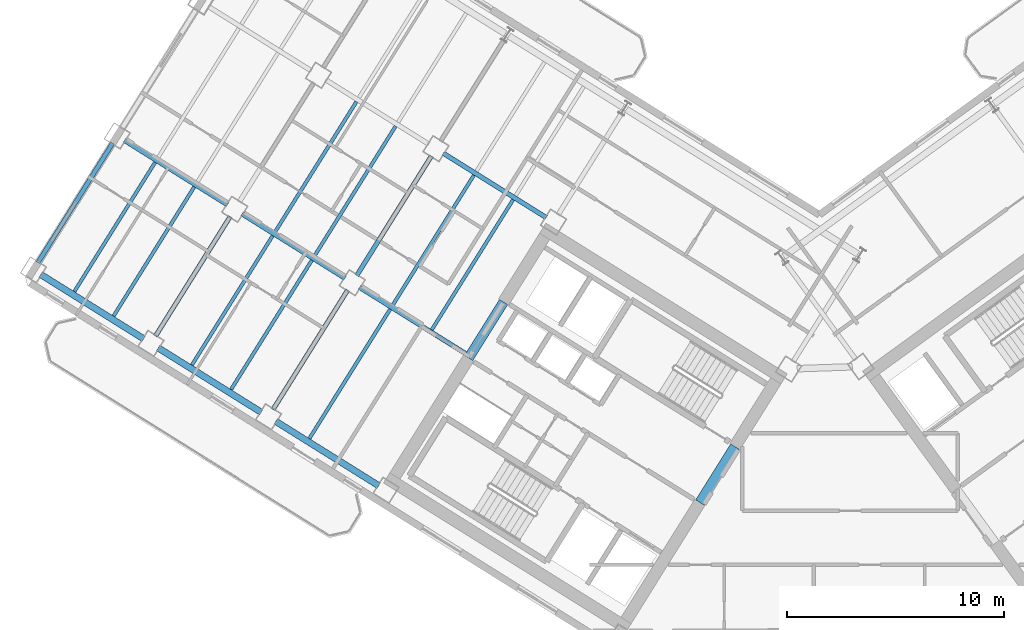
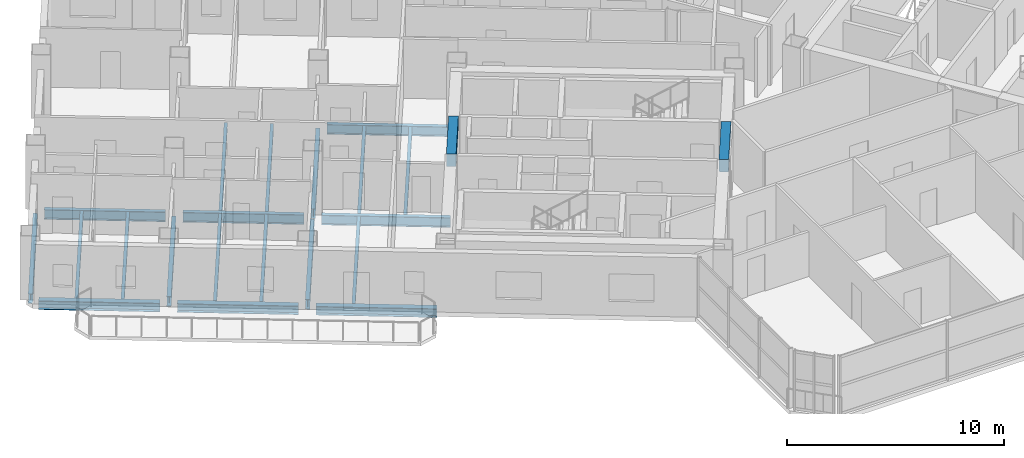
# One storey, part 5 of 20: 22 beams.
"""IFC4 building model written with IfcOpenShell, lengths in metres."""

from ifc_helpers import new_model, si_unit, direction, frame, origin, origin_2d, place, context, subcontext, project, spatial, rectangle, i_section, extrude, source, transform, mapped, material, material_profile, profile_set, type_object, element, save


model = new_model("IFC4")

# Units and contexts
model_context = context("Model", 3, precision=1e-05, world=origin(), true_north=direction((0.0, 1.0)))
body_context = subcontext(model_context, "Body", "Model", "MODEL_VIEW")
ifc_project = project(units=[si_unit("LENGTHUNIT", "METRE"), si_unit("AREAUNIT", "SQUARE_METRE"), si_unit("VOLUMEUNIT", "CUBIC_METRE"), si_unit("PLANEANGLEUNIT", "RADIAN"), si_unit("MASSUNIT", "GRAM", prefix="KILO")], contexts=[model_context])

# Site, building, storey
site_placement = place(None, origin())
site = spatial("IfcSite", under=ifc_project, at=site_placement, CompositionType="ELEMENT")
building_placement = place(site_placement, origin())
building = spatial("IfcBuilding", under=site, at=building_placement, Name="Tlacorven Tower", CompositionType="ELEMENT")
storey_placement = place(building_placement, frame((0.0, 0.0, 108.89990234375)))
storey = spatial("IfcBuildingStorey", under=building, at=storey_placement, Name="L27", CompositionType="ELEMENT", Elevation=108.89990234375)

# Beams
ifc_material_1 = material(Name="Concrete C60/75", Category="concrete")
ifc_material_profile_1 = material_profile(ifc_material_1, rectangle(XDim=0.449951171875, YDim=0.699951171875, at=origin_2d()), Name="RC 450X700")
ifc_profile_set_1 = profile_set([ifc_material_profile_1], Name="Concrete C60/75")
beam_type_1 = type_object("IfcBeamType", Name="BM-LNT-700", PredefinedType="LINTEL", material=ifc_profile_set_1)
shared_shape_1 = source(origin(), body_context, "Body", "SweptSolid", [
    extrude(rectangle(XDim=0.449951171875, YDim=0.699951171875, at=origin_2d()), origin(), (0.0, 0.0, 1.0), 3.050048828125),
])
beam_1_placement = place(storey_placement, frame((38.2998046875, 20.890625, 3.0), z_axis=(-0.529984549635, -0.848007297815, 0.0), x_axis=(0.848007297815, -0.529984549635, 0.0)))
element("IfcBeam", 1, at=beam_1_placement, inside=storey, type_object=beam_type_1, Name="L27 W core coupling lintel beam E1", PredefinedType="LINTEL", context=body_context, shape_type="MappedRepresentation", body=[
    mapped(shared_shape_1, transform((0.0, 0.0, 0.0), scale=1.0)),
])
shared_shape_2 = source(origin(), body_context, "Body", "SweptSolid", [
    extrude(rectangle(XDim=0.449951171875, YDim=0.699951171875, at=origin_2d()), origin(), (0.0, 0.0, 1.0), 3.0498046875),
])
beam_2_placement = place(storey_placement, frame((27.622802734375, 27.562255859375, 3.0), z_axis=(-0.529926983584, -0.848043272522, 0.0), x_axis=(0.848043272522, -0.529926983584, 0.0)))
element("IfcBeam", 2, at=beam_2_placement, inside=storey, type_object=beam_type_1, Name="L27 W core coupling lintel beam E2", PredefinedType="LINTEL", context=body_context, shape_type="MappedRepresentation", body=[
    mapped(shared_shape_2, transform((0.0, 0.0, 0.0), scale=1.0)),
])
ifc_material_2 = material(Name="Steel S355J2", Category="steel")
ifc_material_profile_2 = material_profile(ifc_material_2, i_section(OverallWidth=0.2099609375, OverallDepth=0.550048828125, WebThickness=0.010986328125, FlangeThickness=0.01708984375, at=origin_2d()), Name="IPE 550")
ifc_profile_set_2 = profile_set([ifc_material_profile_2], Name="Steel S355J2")
beam_type_2 = type_object("IfcBeamType", Name="BM-TWR-550", PredefinedType="BEAM", material=ifc_profile_set_2)
shared_shape_3 = source(origin(), body_context, "Body", "SweptSolid", [
    extrude(i_section(OverallWidth=0.2099609375, OverallDepth=0.550048828125, WebThickness=0.010986328125, FlangeThickness=0.01708984375, at=origin_2d()), origin(), (0.0, 0.0, 1.0), 5.599853515625),
])
for number, where, z_axis, x_axis, name in (
    (3, (29.588623046875, 31.46337890625, -0.52490234375), (-0.848047285686, 0.529920561254, 0.0), (-0.529920561254, -0.848047285686, 0.0), "L27 beam BM-L27-WL2-3"),
    (4, (20.292724609375, 28.6640625, -0.52490234375), (-0.848047285686, 0.529920561254, 0.0), (-0.529920561254, -0.848047285686, 0.0), "L27 beam BM-L27-WL3-4"),
):
    element("IfcBeam", number, at=place(storey_placement, frame(where, z_axis=z_axis, x_axis=x_axis)), inside=storey, type_object=beam_type_2, Name=name, PredefinedType="BEAM", context=body_context, shape_type="MappedRepresentation", body=[
        mapped(shared_shape_3, transform((0.0, 0.0, 0.0), scale=1.0)),
    ])
shared_shape_4 = source(origin(), body_context, "Body", "SweptSolid", [
    extrude(i_section(OverallWidth=0.2099609375, OverallDepth=0.550048828125, WebThickness=0.010986328125, FlangeThickness=0.01708984375, at=origin_2d()), origin(), (0.0, 0.0, 1.0), 5.960205078125),
])
beam_3_placement = place(storey_placement, frame((26.025634765625, 25.081787109375, -0.52490234375), z_axis=(-0.848042024898, 0.529928980153, 0.0), x_axis=(-0.529928980153, -0.848042024898, 0.0)))
element("IfcBeam", 5, at=beam_3_placement, inside=storey, type_object=beam_type_2, Name="L27 beam BM-L27-WL3-3", PredefinedType="BEAM", context=body_context, shape_type="MappedRepresentation", body=[
    mapped(shared_shape_4, transform((0.0, 0.0, 0.0), scale=1.0)),
])
shared_shape_5 = source(origin(), body_context, "Body", "SweptSolid", [
    extrude(i_section(OverallWidth=0.2099609375, OverallDepth=0.550048828125, WebThickness=0.010986328125, FlangeThickness=0.01708984375, at=origin_2d()), origin(), (0.0, 0.0, 1.0), 5.60009765625),
])
beam_4_placement = place(storey_placement, frame((14.865234375, 32.055419921875, -0.52490234375), z_axis=(-0.848027693204, 0.529951914384, 0.0), x_axis=(-0.529951914384, -0.848027693204, 0.0)))
element("IfcBeam", 6, at=beam_4_placement, inside=storey, type_object=beam_type_2, Name="L27 beam BM-L27-WL3-5", PredefinedType="BEAM", context=body_context, shape_type="MappedRepresentation", body=[
    mapped(shared_shape_5, transform((0.0, 0.0, 0.0), scale=1.0)),
])
ifc_material_profile_3 = material_profile(ifc_material_2, i_section(OverallWidth=0.300048828125, OverallDepth=0.489990234375, WebThickness=0.011962890625, FlangeThickness=0.02294921875, at=origin_2d()), Name="HEA 500")
ifc_profile_set_3 = profile_set([ifc_material_profile_3], Name="Steel S355J2")
beam_type_3 = type_object("IfcBeamType", Name="BM-SPN-500", PredefinedType="SPANDREL", material=ifc_profile_set_3)
shared_shape_6 = source(origin(), body_context, "Body", "SweptSolid", [
    extrude(i_section(OverallWidth=0.300048828125, OverallDepth=0.489990234375, WebThickness=0.011962890625, FlangeThickness=0.02294921875, at=origin_2d()), origin(), (0.0, 0.0, 1.0), 5.599853515625),
])
for number, where, z_axis, x_axis, name in (
    (7, (21.851806640625, 19.081787109375, -0.494873046875), (-0.848047285686, 0.529920561254, 0.0), (-0.529920561254, -0.848047285686, 0.0), "L27 beam BM-L27-WL4-3"),
    (8, (16.42431640625, 22.473388671875, -0.494873046875), (-0.848047285686, 0.529920561254, 0.0), (-0.529920561254, -0.848047285686, 0.0), "L27 beam BM-L27-WL4-4"),
    (9, (10.996826171875, 25.86474609375, -0.494873046875), (-0.848047285686, 0.529920561254, 0.0), (-0.529920561254, -0.848047285686, 0.0), "L27 beam BM-L27-WL4-5"),
):
    element("IfcBeam", number, at=place(storey_placement, frame(where, z_axis=z_axis, x_axis=x_axis)), inside=storey, type_object=beam_type_3, Name=name, PredefinedType="SPANDREL", context=body_context, shape_type="MappedRepresentation", body=[
        mapped(shared_shape_6, transform((0.0, 0.0, 0.0), scale=1.0)),
    ])
shared_shape_7 = source(origin(), body_context, "Body", "SweptSolid", [
    extrude(i_section(OverallWidth=0.2099609375, OverallDepth=0.550048828125, WebThickness=0.010986328125, FlangeThickness=0.01708984375, at=origin_2d()), origin(), (0.0, 0.0, 1.0), 6.500244140625),
])
beam_5_placement = place(storey_placement, frame((24.28857421875, 34.3037109375, -0.52490234375), z_axis=(-0.529921287515, -0.848046831866, 0.0), x_axis=(0.848046831866, -0.529921287515, 0.0)))
element("IfcBeam", 10, at=beam_5_placement, inside=storey, type_object=beam_type_2, Name="L27 beam BM-L27-WT4-2", PredefinedType="BEAM", context=body_context, shape_type="MappedRepresentation", body=[
    mapped(shared_shape_7, transform((0.0, 0.0, 0.0), scale=1.0)),
])
shared_shape_8 = source(origin(), body_context, "Body", "SweptSolid", [
    extrude(i_section(OverallWidth=0.2099609375, OverallDepth=0.550048828125, WebThickness=0.010986328125, FlangeThickness=0.01708984375, at=origin_2d()), origin(), (0.0, 0.0, 1.0), 6.5),
])
for number, where, z_axis, x_axis, name in (
    (11, (20.420166015625, 28.11279296875, -0.52490234375), (-0.529938166933, -0.848036284146, 0.0), (0.848036284146, -0.529938166933, 0.0), "L27 beam BM-L27-WT4-3"),
    (12, (14.992431640625, 31.50439453125, -0.52490234375), (-0.529894274829, -0.848063710757, 0.0), (0.848063710757, -0.529894274829, 0.0), "L27 beam BM-L27-WT5-3"),
):
    element("IfcBeam", number, at=place(storey_placement, frame(where, z_axis=z_axis, x_axis=x_axis)), inside=storey, type_object=beam_type_2, Name=name, PredefinedType="BEAM", context=body_context, shape_type="MappedRepresentation", body=[
        mapped(shared_shape_8, transform((0.0, 0.0, 0.0), scale=1.0)),
    ])
shared_shape_9 = source(origin(), body_context, "Body", "SweptSolid", [
    extrude(i_section(OverallWidth=0.2099609375, OverallDepth=0.550048828125, WebThickness=0.010986328125, FlangeThickness=0.01708984375, at=origin_2d()), origin(), (0.0, 0.0, 1.0), 6.499755859375),
])
beam_6_placement = place(storey_placement, frame((9.56494140625, 34.895751953125, -0.52490234375), z_axis=(-0.529911154058, -0.848053163902, 0.0), x_axis=(0.848053163902, -0.529911154058, 0.0)))
element("IfcBeam", 13, at=beam_6_placement, inside=storey, type_object=beam_type_2, Name="L27 beam BM-L27-WT6-3", PredefinedType="BEAM", context=body_context, shape_type="MappedRepresentation", body=[
    mapped(shared_shape_9, transform((0.0, 0.0, 0.0), scale=1.0)),
])
ifc_material_profile_4 = material_profile(ifc_material_2, i_section(OverallWidth=0.159912109375, OverallDepth=0.330078125, WebThickness=0.007568359375, FlangeThickness=0.011474609375, at=origin_2d()), Name="IPE 330")
ifc_profile_set_4 = profile_set([ifc_material_profile_4], Name="Steel S355J2")
beam_type_4 = type_object("IfcBeamType", Name="BM-JST-330", PredefinedType="JOIST", material=ifc_profile_set_4)
shared_shape_10 = source(origin(), body_context, "Body", "SweptSolid", [
    extrude(i_section(OverallWidth=0.159912109375, OverallDepth=0.330078125, WebThickness=0.007568359375, FlangeThickness=0.011474609375, at=origin_2d()), origin(), (0.0, 0.0, 1.0), 7.080078125),
])
for number, where, z_axis, x_axis, name in (
    (14, (28.060546875, 32.28857421875, -0.414794921875), (-0.529933847046, -0.848038983629, 0.0), (0.848038983629, -0.529933847046, 0.0), "L27 beam BM-L27-WJ3-2-1"),
    (15, (26.251220703125, 33.419189453125, -0.414794921875), (-0.529893550998, -0.848064163027, 0.0), (0.848064163027, -0.529893550998, 0.0), "L27 beam BM-L27-WJ3-2-2"),
    (16, (22.633056640625, 35.679931640625, -0.414794921875), (-0.529933847046, -0.848038983629, 0.0), (0.848038983629, -0.529933847046, 0.0), "L27 beam BM-L27-WJ4-2-1"),
):
    element("IfcBeam", number, at=place(storey_placement, frame(where, z_axis=z_axis, x_axis=x_axis)), inside=storey, type_object=beam_type_4, Name=name, PredefinedType="JOIST", context=body_context, shape_type="MappedRepresentation", body=[
        mapped(shared_shape_10, transform((0.0, 0.0, 0.0), scale=1.0)),
    ])
shared_shape_11 = source(origin(), body_context, "Body", "SweptSolid", [
    extrude(i_section(OverallWidth=0.159912109375, OverallDepth=0.330078125, WebThickness=0.007568359375, FlangeThickness=0.011474609375, at=origin_2d()), origin(), (0.0, 0.0, 1.0), 7.03515625),
])
for number, where, z_axis, x_axis, name in (
    (17, (22.3828125, 27.228271484375, -0.414794921875), (-0.529920952588, -0.848047041153, 0.0), (0.848047041153, -0.529920952588, 0.0), "L27 beam BM-L27-WJ3-3-2"),
    (18, (18.7646484375, 29.4892578125, -0.414794921875), (-0.529920952588, -0.848047041153, 0.0), (0.848047041153, -0.529920952588, 0.0), "L27 beam BM-L27-WJ4-3-1"),
    (19, (16.955322265625, 30.619873046875, -0.414794921875), (-0.529920952588, -0.848047041153, 0.0), (0.848047041153, -0.529920952588, 0.0), "L27 beam BM-L27-WJ4-3-2"),
    (20, (13.337158203125, 32.880859375, -0.414794921875), (-0.529920952588, -0.848047041153, 0.0), (0.848047041153, -0.529920952588, 0.0), "L27 beam BM-L27-WJ5-3-1"),
    (21, (11.52783203125, 34.01123046875, -0.414794921875), (-0.529920952588, -0.848047041153, 0.0), (0.848047041153, -0.529920952588, 0.0), "L27 beam BM-L27-WJ5-3-2"),
):
    element("IfcBeam", number, at=place(storey_placement, frame(where, z_axis=z_axis, x_axis=x_axis)), inside=storey, type_object=beam_type_4, Name=name, PredefinedType="JOIST", context=body_context, shape_type="MappedRepresentation", body=[
        mapped(shared_shape_11, transform((0.0, 0.0, 0.0), scale=1.0)),
    ])
shared_shape_12 = source(origin(), body_context, "Body", "SweptSolid", [
    extrude(i_section(OverallWidth=0.159912109375, OverallDepth=0.330078125, WebThickness=0.007568359375, FlangeThickness=0.011474609375, at=origin_2d()), origin(), (0.0, 0.0, 1.0), 7.079833984375),
])
beam_7_placement = place(storey_placement, frame((20.82373046875, 36.810546875, -0.414794921875), z_axis=(-0.529909047265, -0.848054480341, 0.0), x_axis=(0.848054480341, -0.529909047265, 0.0)))
element("IfcBeam", 22, at=beam_7_placement, inside=storey, type_object=beam_type_4, Name="L27 beam BM-L27-WJ4-2-2", PredefinedType="JOIST", context=body_context, shape_type="MappedRepresentation", body=[
    mapped(shared_shape_12, transform((0.0, 0.0, 0.0), scale=1.0)),
])

save(model, "model.ifc")
